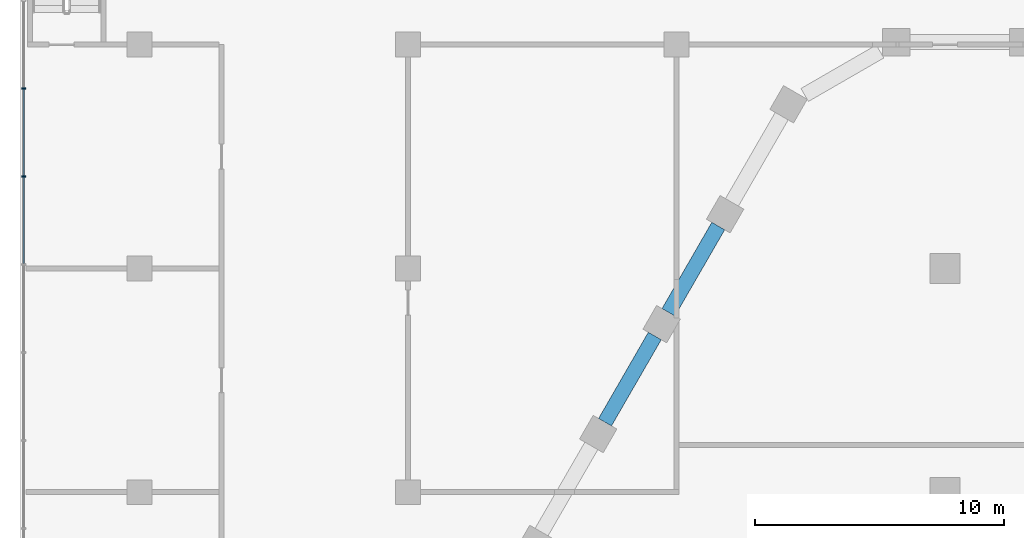
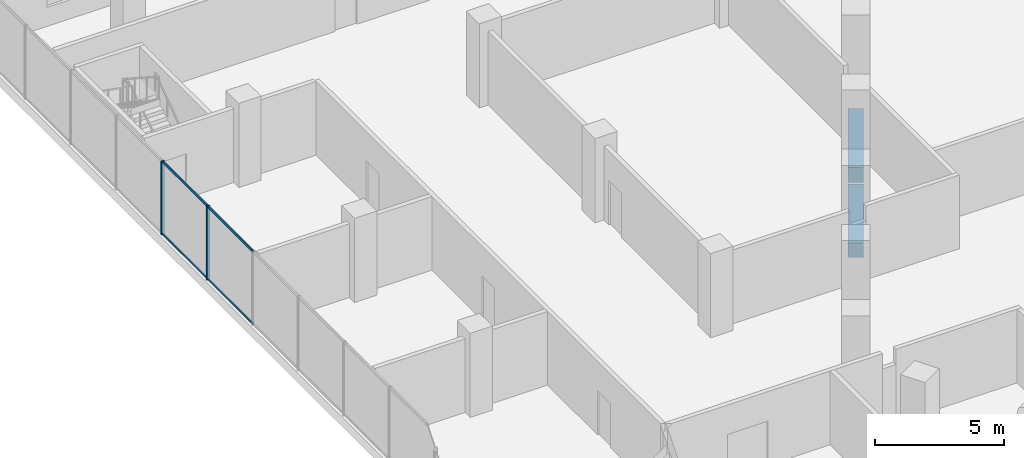
# One storey, part 7 of 45: 6 members, 2 beams, 1 element without a shape of its own.
"""IFC4 building model written with IfcOpenShell, lengths in metres."""

from ifc_helpers import new_model, si_unit, direction, frame, origin, origin_2d, place, context, subcontext, project, spatial, rectangle, hollow_rectangle, extrude, material, material_profile, profile_set, type_object, element, aggregate, save


model = new_model("IFC4")

# Units and contexts
model_context = context("Model", 3, precision=1e-05, world=origin(), true_north=direction((0.0, 1.0)))
body_context = subcontext(model_context, "Body", "Model", "MODEL_VIEW")
ifc_project = project(units=[si_unit("LENGTHUNIT", "METRE"), si_unit("AREAUNIT", "SQUARE_METRE"), si_unit("VOLUMEUNIT", "CUBIC_METRE"), si_unit("PLANEANGLEUNIT", "RADIAN"), si_unit("MASSUNIT", "GRAM", prefix="KILO")], contexts=[model_context])

# Site, building, storey
site_placement = place(None, origin())
site = spatial("IfcSite", under=ifc_project, at=site_placement, CompositionType="ELEMENT")
building_placement = place(site_placement, origin())
building = spatial("IfcBuilding", under=site, at=building_placement, Name="Beryl Residences", CompositionType="ELEMENT")
storey_placement = place(building_placement, frame((0.0, 0.0, 5.0)))
storey = spatial("IfcBuildingStorey", under=building, at=storey_placement, Name="L01", CompositionType="ELEMENT", Elevation=5.0)

# Curtain wall, members
ifc_material_1 = material(Name="Aluminium and clear glass", Category="aluminium")
curtain_wall_type = type_object("IfcCurtainWallType", Name="CW1 shopfront glazed wall", PredefinedType="NOTDEFINED", material=ifc_material_1)
curtain_wall_placement = place(storey_placement, origin())
curtain_wall = element("IfcCurtainWall", 1, at=curtain_wall_placement, inside=storey, type_object=curtain_wall_type, Name="CW1 L01 W", PredefinedType="NOTDEFINED")
ifc_material_2 = material(Name="Aluminium", Category="aluminium")
ifc_material_profile_1 = material_profile(ifc_material_2, rectangle(XDim=0.06005859375, YDim=0.14990234375, at=origin_2d()))
ifc_profile_set_1 = profile_set([ifc_material_profile_1], Name="Aluminium")
member_type_1 = type_object("IfcMemberType", Name="CW1-M mullion 60 x 150 mm", PredefinedType="MULLION", material=ifc_profile_set_1)
member_1_placement = place(storey_placement, frame((-47.85009765625, 25.239990234375, 0.0), z_axis=(0.0, 0.0, 1.0), x_axis=(0.0, -1.0, 0.0)))
member_1 = element("IfcMember", 2, at=member_1_placement, type_object=member_type_1, Name="CW1 mullion 5", PredefinedType="MULLION", context=body_context, shape_type="SweptSolid", body=[
    extrude(rectangle(XDim=0.06005859375, YDim=0.14990234375, at=origin_2d()), origin(), (0.0, 0.0, 1.0), 3.5),
])
member_2_placement = place(storey_placement, frame((-47.85009765625, 21.699951171875, 0.0), z_axis=(0.0, 0.0, 1.0), x_axis=(0.0, -1.0, 0.0)))
member_2 = element("IfcMember", 3, at=member_2_placement, type_object=member_type_1, Name="CW1 mullion 6", PredefinedType="MULLION", context=body_context, shape_type="SweptSolid", body=[
    extrude(rectangle(XDim=0.06005859375, YDim=0.14990234375, at=origin_2d()), origin(), (0.0, 0.0, 1.0), 3.5),
])
ifc_material_3 = material(Name="Aluminium", Category="aluminium")
ifc_material_profile_2 = material_profile(ifc_material_3, hollow_rectangle(XDim=0.06005859375, YDim=0.10009765625, WallThickness=0.00390625, at=origin_2d()))
ifc_profile_set_2 = profile_set([ifc_material_profile_2], Name="Aluminium")
member_type_2 = type_object("IfcMemberType", Name="CW1-T transom 60 x 100 mm", PredefinedType="USERDEFINED", material=ifc_profile_set_2)
member_3_placement = place(storey_placement, frame((-47.85009765625, 25.2099609375, 0.030029296875), z_axis=(0.0, -1.0, 0.0), x_axis=(1.0, 0.0, 0.0)))
member_3 = element("IfcMember", 4, at=member_3_placement, type_object=member_type_2, Name="CW1 transom 5.1", ObjectType="TRANSOM", PredefinedType="USERDEFINED", context=body_context, shape_type="SweptSolid", body=[
    extrude(hollow_rectangle(XDim=0.06005859375, YDim=0.10009765625, WallThickness=0.00390625, at=origin_2d()), origin(), (0.0, 0.0, 1.0), 3.47998046875),
])
member_4_placement = place(storey_placement, frame((-47.85009765625, 25.2099609375, 3.469970703125), z_axis=(0.0, -1.0, 0.0), x_axis=(1.0, 0.0, 0.0)))
member_4 = element("IfcMember", 5, at=member_4_placement, type_object=member_type_2, Name="CW1 transom 5.2", ObjectType="TRANSOM", PredefinedType="USERDEFINED", context=body_context, shape_type="SweptSolid", body=[
    extrude(hollow_rectangle(XDim=0.06005859375, YDim=0.10009765625, WallThickness=0.00390625, at=origin_2d()), origin(), (0.0, 0.0, 1.0), 3.47998046875),
])
member_5_placement = place(storey_placement, frame((-47.85009765625, 21.669921875, 0.030029296875), z_axis=(0.0, -1.0, 0.0), x_axis=(1.0, 0.0, 0.0)))
member_5 = element("IfcMember", 6, at=member_5_placement, type_object=member_type_2, Name="CW1 transom 6.1", ObjectType="TRANSOM", PredefinedType="USERDEFINED", context=body_context, shape_type="SweptSolid", body=[
    extrude(hollow_rectangle(XDim=0.06005859375, YDim=0.10009765625, WallThickness=0.00390625, at=origin_2d()), origin(), (0.0, 0.0, 1.0), 3.47998046875),
])
member_6_placement = place(storey_placement, frame((-47.85009765625, 21.669921875, 3.469970703125), z_axis=(0.0, -1.0, 0.0), x_axis=(1.0, 0.0, 0.0)))
member_6 = element("IfcMember", 7, at=member_6_placement, type_object=member_type_2, Name="CW1 transom 6.2", ObjectType="TRANSOM", PredefinedType="USERDEFINED", context=body_context, shape_type="SweptSolid", body=[
    extrude(hollow_rectangle(XDim=0.06005859375, YDim=0.10009765625, WallThickness=0.00390625, at=origin_2d()), origin(), (0.0, 0.0, 1.0), 3.47998046875),
])
aggregate(curtain_wall, [member_1, member_2, member_3, member_4, member_5, member_6])

# Beams
ifc_material_4 = material(Name="Concrete C80/95", Category="concrete")
ifc_material_profile_3 = material_profile(ifc_material_4, rectangle(XDim=0.60009765625, YDim=0.699951171875, at=origin_2d()))
ifc_profile_set_3 = profile_set([ifc_material_profile_3], Name="Concrete C80/95")
beam_type = type_object("IfcBeamType", Name="SB1 spandrel beam 600 x 700 C80/95", PredefinedType="SPANDREL", material=ifc_profile_set_3)
beam_1_placement = place(storey_placement, frame((-19.9169921875, 19.7041015625, -0.800048828125), z_axis=(-0.499836783367, -0.866119616446, 0.0), x_axis=(0.866119616446, -0.499836783367, 0.0)))
element("IfcBeam", 8, at=beam_1_placement, inside=storey, type_object=beam_type, Name="SB1 L01 NW-1", PredefinedType="SPANDREL", context=body_context, shape_type="SweptSolid", body=[
    extrude(rectangle(XDim=0.60009765625, YDim=0.699951171875, at=origin_2d()), origin(), (0.0, 0.0, 1.0), 4.005126953125),
])
beam_2_placement = place(storey_placement, frame((-22.468994140625, 15.282958984375, -0.800048828125), z_axis=(-0.499942357345, -0.866058681229, 0.0), x_axis=(0.866058681229, -0.499942357345, 0.0)))
element("IfcBeam", 9, at=beam_2_placement, inside=storey, type_object=beam_type, Name="SB1 L01 NW-2", PredefinedType="SPANDREL", context=body_context, shape_type="SweptSolid", body=[
    extrude(rectangle(XDim=0.60009765625, YDim=0.699951171875, at=origin_2d()), origin(), (0.0, 0.0, 1.0), 4.00439453125),
])

save(model, "model.ifc")
